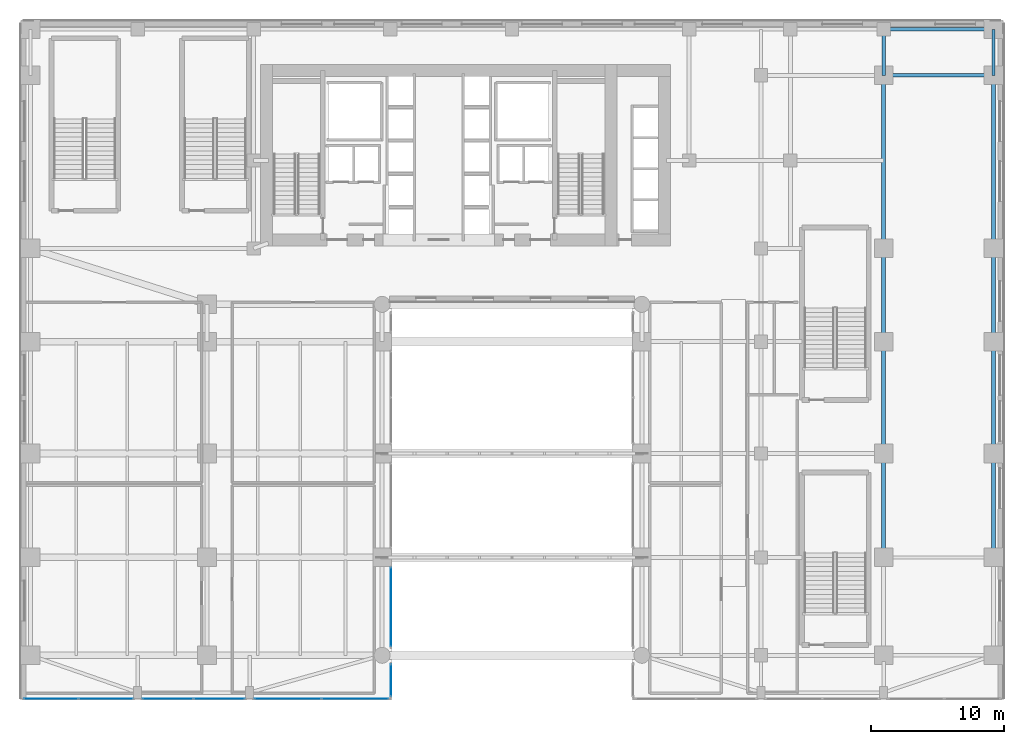
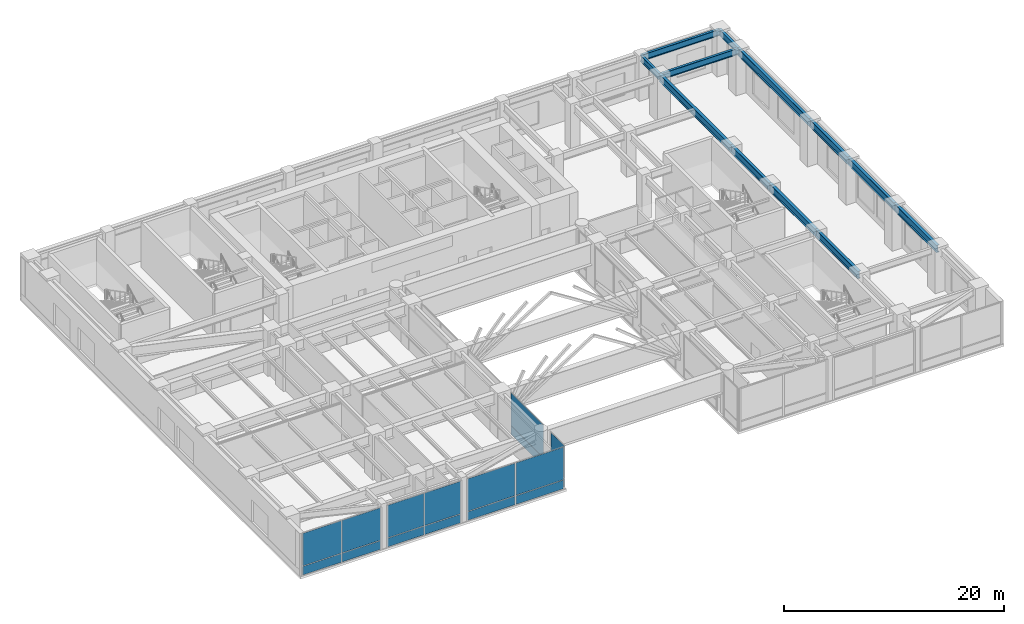
# One storey, part 25 of 39: 16 plates, 12 beams, 5 elements without a shape of their own.
"""IFC4 building model written with IfcOpenShell, lengths in metres."""

from ifc_helpers import new_model, si_unit, direction, frame, origin, origin_2d, place, context, subcontext, project, spatial, rectangle, i_section, extrude, source, transform, mapped, material, layer, layer_set, material_profile, profile_set, type_object, type_shapes, element, aggregate, save


model = new_model("IFC4")

# Units and contexts
model_context = context("Model", 3, precision=1e-05, world=origin(), true_north=direction((0.0, 1.0)))
body_context = subcontext(model_context, "Body", "Model", "MODEL_VIEW")
ifc_project = project(units=[si_unit("LENGTHUNIT", "METRE"), si_unit("AREAUNIT", "SQUARE_METRE"), si_unit("VOLUMEUNIT", "CUBIC_METRE"), si_unit("PLANEANGLEUNIT", "RADIAN"), si_unit("MASSUNIT", "GRAM", prefix="KILO")], contexts=[model_context])

# Site, building, storey
site_placement = place(None, origin())
site = spatial("IfcSite", under=ifc_project, at=site_placement, CompositionType="ELEMENT")
building_placement = place(site_placement, origin())
building = spatial("IfcBuilding", under=site, at=building_placement, Name="Tolvann Quenvar Hotel", CompositionType="ELEMENT")
storey_placement = place(building_placement, frame((0.0, 0.0, 11.0)))
storey = spatial("IfcBuildingStorey", under=building, at=storey_placement, Name="L02", CompositionType="ELEMENT", Elevation=11.0)

# Beams
ifc_material_1 = material(Name="Steel Grade 350", Category="steel")
ifc_material_profile_1 = material_profile(ifc_material_1, i_section(OverallWidth=0.300048828125, OverallDepth=0.81591796875, WebThickness=0.010009765625, FlangeThickness=0.028076171875, at=origin_2d()), Name="800WB192")
ifc_profile_set_1 = profile_set([ifc_material_profile_1], Name="Steel Grade 350")
beam_type_1 = type_object("IfcBeamType", Name="BM_GIRD_800WB192", PredefinedType="BEAM", material=ifc_profile_set_1)
shared_shape_1 = source(origin(), body_context, "Body", "SweptSolid", [
    extrude(i_section(OverallWidth=0.300048828125, OverallDepth=0.81591796875, WebThickness=0.010009765625, FlangeThickness=0.028076171875, at=origin_2d()), origin(), (0.0, 0.0, 1.0), 7.800048828125),
])
for number, where, z_axis, x_axis, name in (
    (1, (56.39990234375, 8.199951171875, 4.33203125), (0.0, 1.0, 0.0), (-1.0, 0.0, 0.0), "BM-L02-NS-J-1"),
    (2, (64.64990234375, 8.199951171875, 4.33203125), (0.0, 1.0, 0.0), (-1.0, 0.0, 0.0), "BM-L02-NS-K-1"),
):
    element("IfcBeam", number, at=place(storey_placement, frame(where, z_axis=z_axis, x_axis=x_axis)), inside=storey, type_object=beam_type_1, Name=name, PredefinedType="BEAM", context=body_context, shape_type="MappedRepresentation", body=[
        mapped(shared_shape_1, transform((0.0, 0.0, 0.0), x_axis=(1.0, 0.0, 0.0), y_axis=(0.0, 1.0, 0.0), z_axis=(0.0, 0.0, 1.0), scale=1.0)),
    ])
shared_shape_2 = source(origin(), body_context, "Body", "SweptSolid", [
    extrude(i_section(OverallWidth=0.300048828125, OverallDepth=0.81591796875, WebThickness=0.010009765625, FlangeThickness=0.028076171875, at=origin_2d()), origin(), (0.0, 0.0, 1.0), 8.39990234375),
])
for number, where, z_axis, x_axis, name in (
    (3, (56.39990234375, 16.0, 4.33203125), (0.0, 1.0, 0.0), (-1.0, 0.0, 0.0), "BM-L02-NS-J-2"),
    (4, (64.64990234375, 16.0, 4.33203125), (0.0, 1.0, 0.0), (-1.0, 0.0, 0.0), "BM-L02-NS-K-2"),
):
    element("IfcBeam", number, at=place(storey_placement, frame(where, z_axis=z_axis, x_axis=x_axis)), inside=storey, type_object=beam_type_1, Name=name, PredefinedType="BEAM", context=body_context, shape_type="MappedRepresentation", body=[
        mapped(shared_shape_2, transform((0.0, 0.0, 0.0), x_axis=(1.0, 0.0, 0.0), y_axis=(0.0, 1.0, 0.0), z_axis=(0.0, 0.0, 1.0), scale=1.0)),
    ])
ifc_material_profile_2 = material_profile(ifc_material_1, i_section(OverallWidth=0.25, OverallDepth=0.699951171875, WebThickness=0.010009765625, FlangeThickness=0.02392578125, at=origin_2d()), Name="700WB150")
ifc_profile_set_2 = profile_set([ifc_material_profile_2], Name="Steel Grade 350")
beam_type_2 = type_object("IfcBeamType", Name="BM_GIRD_700WB150", PredefinedType="BEAM", material=ifc_profile_set_2)
shared_shape_3 = source(origin(), body_context, "Body", "SweptSolid", [
    extrude(i_section(OverallWidth=0.25, OverallDepth=0.699951171875, WebThickness=0.010009765625, FlangeThickness=0.02392578125, at=origin_2d()), origin(), (0.0, 0.0, 1.0), 8.25),
])
for number, where, z_axis, x_axis, name in (
    (5, (56.39990234375, 44.39990234375, 4.389892578125), (1.0, 0.0, 0.0), (0.0, 1.0, 0.0), "BM-L02-GE3-6"),
    (6, (56.39990234375, 47.85009765625, 4.389892578125), (1.0, 0.0, 0.0), (0.0, 1.0, 0.0), "BM-L02-EWN-7"),
):
    element("IfcBeam", number, at=place(storey_placement, frame(where, z_axis=z_axis, x_axis=x_axis)), inside=storey, type_object=beam_type_2, Name=name, PredefinedType="BEAM", context=body_context, shape_type="MappedRepresentation", body=[
        mapped(shared_shape_3, transform((0.0, 0.0, 0.0), x_axis=(1.0, 0.0, 0.0), y_axis=(0.0, 1.0, 0.0), z_axis=(0.0, 0.0, 1.0), scale=1.0)),
    ])
shared_shape_4 = source(origin(), body_context, "Body", "SweptSolid", [
    extrude(i_section(OverallWidth=0.300048828125, OverallDepth=0.81591796875, WebThickness=0.010009765625, FlangeThickness=0.028076171875, at=origin_2d()), origin(), (0.0, 0.0, 1.0), 7.0),
])
for number, where, z_axis, x_axis, name in (
    (7, (56.39990234375, 24.39990234375, 4.33203125), (0.0, 1.0, 0.0), (-1.0, 0.0, 0.0), "BM-L02-NS-J-3"),
    (8, (64.64990234375, 24.39990234375, 4.33203125), (0.0, 1.0, 0.0), (-1.0, 0.0, 0.0), "BM-L02-NS-K-3"),
):
    element("IfcBeam", number, at=place(storey_placement, frame(where, z_axis=z_axis, x_axis=x_axis)), inside=storey, type_object=beam_type_1, Name=name, PredefinedType="BEAM", context=body_context, shape_type="MappedRepresentation", body=[
        mapped(shared_shape_4, transform((0.0, 0.0, 0.0), x_axis=(1.0, 0.0, 0.0), y_axis=(0.0, 1.0, 0.0), z_axis=(0.0, 0.0, 1.0), scale=1.0)),
    ])
shared_shape_5 = source(origin(), body_context, "Body", "SweptSolid", [
    extrude(i_section(OverallWidth=0.300048828125, OverallDepth=0.81591796875, WebThickness=0.010009765625, FlangeThickness=0.028076171875, at=origin_2d()), origin(), (0.0, 0.0, 1.0), 13.0),
])
type_shapes(beam_type_1, [shared_shape_1, shared_shape_2, shared_shape_4, shared_shape_5])
for number, where, z_axis, x_axis, name in (
    (9, (56.39990234375, 31.39990234375, 4.33203125), (0.0, 1.0, 0.0), (-1.0, 0.0, 0.0), "BM-L02-NS-J-4"),
    (10, (64.64990234375, 31.39990234375, 4.33203125), (0.0, 1.0, 0.0), (-1.0, 0.0, 0.0), "BM-L02-NS-K-4"),
):
    element("IfcBeam", number, at=place(storey_placement, frame(where, z_axis=z_axis, x_axis=x_axis)), inside=storey, type_object=beam_type_1, Name=name, PredefinedType="BEAM", context=body_context, shape_type="MappedRepresentation", body=[
        mapped(shared_shape_5, transform((0.0, 0.0, 0.0), x_axis=(1.0, 0.0, 0.0), y_axis=(0.0, 1.0, 0.0), z_axis=(0.0, 0.0, 1.0), scale=1.0)),
    ])
shared_shape_6 = source(origin(), body_context, "Body", "SweptSolid", [
    extrude(i_section(OverallWidth=0.25, OverallDepth=0.699951171875, WebThickness=0.010009765625, FlangeThickness=0.02392578125, at=origin_2d()), origin(), (0.0, 0.0, 1.0), 3.4501953125),
])
type_shapes(beam_type_2, [shared_shape_3, shared_shape_6])
for number, where, z_axis, x_axis, name in (
    (11, (56.39990234375, 44.39990234375, 4.389892578125), (0.0, 1.0, 0.0), (-1.0, 0.0, 0.0), "BM-L02-NSN-J"),
    (12, (64.64990234375, 44.39990234375, 4.389892578125), (0.0, 1.0, 0.0), (-1.0, 0.0, 0.0), "BM-L02-NSN-K"),
):
    element("IfcBeam", number, at=place(storey_placement, frame(where, z_axis=z_axis, x_axis=x_axis)), inside=storey, type_object=beam_type_2, Name=name, PredefinedType="BEAM", context=body_context, shape_type="MappedRepresentation", body=[
        mapped(shared_shape_6, transform((0.0, 0.0, 0.0), x_axis=(1.0, 0.0, 0.0), y_axis=(0.0, 1.0, 0.0), z_axis=(0.0, 0.0, 1.0), scale=1.0)),
    ])

# Curtain wall, plate
ifc_material_2 = material(Name="Thermally broken anodised architectural aluminium 6063-T6 and laminated low-E glass", Category="aluminium")
ifc_layer_1 = layer(ifc_material_2, 0.179931640625)
ifc_layer_set_1 = layer_set([ifc_layer_1], Name="Thermally broken anodised architectural aluminium 6063-T6 and laminated low-E glass")
curtain_wall_type_1 = type_object("IfcCurtainWallType", Name="CW_SYS_ARCH_01", PredefinedType="USERDEFINED", material=ifc_layer_set_1)
curtain_wall_1_placement = place(storey_placement, origin())
curtain_wall_1 = element("IfcCurtainWall", 13, at=curtain_wall_1_placement, inside=storey, type_object=curtain_wall_type_1, Name="Curtain Wall CW-ARCH-01 (CWR-L02-E01-S1)", ObjectType="UNITISED CURTAIN WALL", PredefinedType="USERDEFINED")
ifc_material_3 = material(Name="Low-iron laminated double glazing with solar-control coating", Category="glass")
ifc_layer_2 = layer(ifc_material_3, 0.028076171875)
ifc_layer_set_2 = layer_set([ifc_layer_2], Name="Low-iron laminated double glazing with solar-control coating")
plate_type = type_object("IfcPlateType", Name="CW_PAN_VISION_28", PredefinedType="CURTAIN_PANEL", material=ifc_layer_set_2)
shared_shape_7 = source(origin(), body_context, "Body", "SweptSolid", [
    extrude(rectangle(XDim=2.39599609375, YDim=0.028076171875, at=origin_2d()), origin(), (0.0, 0.0, 1.0), 0.9599609375),
])
plate_1_placement = place(storey_placement, frame((19.409912109375, -1.02197265625, 0.06005859375), z_axis=(0.0, 0.0, 1.0), x_axis=(0.0, 1.0, 0.0)))
plate_1 = element("IfcPlate", 14, at=plate_1_placement, type_object=plate_type, Name="CW-ARCH-01 panel 1.1", PredefinedType="CURTAIN_PANEL", context=body_context, shape_type="MappedRepresentation", body=[
    mapped(shared_shape_7, transform((0.0, 0.0, 0.0), x_axis=(1.0, 0.0, 0.0), y_axis=(0.0, 1.0, 0.0), z_axis=(0.0, 0.0, 1.0), scale=1.0)),
])

curtain_wall_2_placement = place(storey_placement, origin())
curtain_wall_2 = element("IfcCurtainWall", 15, at=curtain_wall_2_placement, inside=storey, type_object=curtain_wall_type_1, Name="Curtain Wall CW-ARCH-01 (CWR-L02-E01-S2)", ObjectType="UNITISED CURTAIN WALL", PredefinedType="USERDEFINED")
shared_shape_8 = source(origin(), body_context, "Body", "SweptSolid", [
    extrude(rectangle(XDim=5.902099609375, YDim=0.028076171875, at=origin_2d()), origin(), (0.0, 0.0, 1.0), 0.9599609375),
])
plate_2_placement = place(storey_placement, frame((19.409912109375, 4.47509765625, 0.06005859375), z_axis=(0.0, 0.0, 1.0), x_axis=(0.0, 1.0, 0.0)))
plate_2 = element("IfcPlate", 16, at=plate_2_placement, type_object=plate_type, Name="CW-ARCH-01 panel 1.1", PredefinedType="CURTAIN_PANEL", context=body_context, shape_type="MappedRepresentation", body=[
    mapped(shared_shape_8, transform((0.0, 0.0, 0.0), x_axis=(1.0, 0.0, 0.0), y_axis=(0.0, 1.0, 0.0), z_axis=(0.0, 0.0, 1.0), scale=1.0)),
])

# Plate
shared_shape_9 = source(origin(), body_context, "Body", "SweptSolid", [
    extrude(rectangle(XDim=2.39599609375, YDim=0.028076171875, at=origin_2d()), origin(), (0.0, 0.0, 1.0), 3.60009765625),
])
plate_3_placement = place(storey_placement, frame((19.409912109375, -1.02197265625, 1.079833984375), z_axis=(0.0, 0.0, 1.0), x_axis=(0.0, 1.0, 0.0)))
plate_3 = element("IfcPlate", 17, at=plate_3_placement, type_object=plate_type, Name="CW-ARCH-01 panel 1.2", PredefinedType="CURTAIN_PANEL", context=body_context, shape_type="MappedRepresentation", body=[
    mapped(shared_shape_9, transform((0.0, 0.0, 0.0), x_axis=(1.0, 0.0, 0.0), y_axis=(0.0, 1.0, 0.0), z_axis=(0.0, 0.0, 1.0), scale=1.0)),
])

aggregate(curtain_wall_1, [plate_1, plate_3])

shared_shape_10 = source(origin(), body_context, "Body", "SweptSolid", [
    extrude(rectangle(XDim=5.902099609375, YDim=0.028076171875, at=origin_2d()), origin(), (0.0, 0.0, 1.0), 3.60009765625),
])
plate_4_placement = place(storey_placement, frame((19.409912109375, 4.47509765625, 1.079833984375), z_axis=(0.0, 0.0, 1.0), x_axis=(0.0, 1.0, 0.0)))
plate_4 = element("IfcPlate", 18, at=plate_4_placement, type_object=plate_type, Name="CW-ARCH-01 panel 1.2", PredefinedType="CURTAIN_PANEL", context=body_context, shape_type="MappedRepresentation", body=[
    mapped(shared_shape_10, transform((0.0, 0.0, 0.0), x_axis=(1.0, 0.0, 0.0), y_axis=(0.0, 1.0, 0.0), z_axis=(0.0, 0.0, 1.0), scale=1.0)),
])

aggregate(curtain_wall_2, [plate_2, plate_4])

# Curtain wall, plates
ifc_layer_3 = layer(ifc_material_2, 0.179931640625)
ifc_layer_set_3 = layer_set([ifc_layer_3], Name="Thermally broken anodised architectural aluminium 6063-T6 and laminated low-E glass")
curtain_wall_type_2 = type_object("IfcCurtainWallType", Name="CW_SYS_BALL_02", PredefinedType="USERDEFINED", material=ifc_layer_set_3)
curtain_wall_3_placement = place(storey_placement, origin())
curtain_wall_3 = element("IfcCurtainWall", 19, at=curtain_wall_3_placement, inside=storey, type_object=curtain_wall_type_2, Name="Curtain Wall CW-BALL-02 (CWR-L02-E08-S1)", ObjectType="UNITISED CURTAIN WALL", PredefinedType="USERDEFINED")
shared_shape_11 = source(origin(), body_context, "Body", "SweptSolid", [
    extrude(rectangle(XDim=4.0380859375, YDim=0.028076171875, at=origin_2d()), origin(), (0.0, 0.0, 1.0), 0.9599609375),
])
plate_5_placement = place(storey_placement, frame((-6.10107421875, -2.409912109375, 0.06005859375), z_axis=(0.0, 0.0, 1.0), x_axis=(1.0, 0.0, 0.0)))
plate_5 = element("IfcPlate", 20, at=plate_5_placement, type_object=plate_type, Name="CW-BALL-02 panel 1.1", PredefinedType="CURTAIN_PANEL", context=body_context, shape_type="MappedRepresentation", body=[
    mapped(shared_shape_11, transform((0.0, 0.0, 0.0), x_axis=(1.0, 0.0, 0.0), y_axis=(0.0, 1.0, 0.0), z_axis=(0.0, 0.0, 1.0), scale=1.0)),
])
plate_6_placement = place(storey_placement, frame((-1.992919921875, -2.409912109375, 0.06005859375), z_axis=(0.0, 0.0, 1.0), x_axis=(1.0, 0.0, 0.0)))
plate_6 = element("IfcPlate", 21, at=plate_6_placement, type_object=plate_type, Name="CW-BALL-02 panel 2.1", PredefinedType="CURTAIN_PANEL", context=body_context, shape_type="MappedRepresentation", body=[
    mapped(shared_shape_11, transform((0.0, 0.0, 0.0), x_axis=(1.0, 0.0, 0.0), y_axis=(0.0, 1.0, 0.0), z_axis=(0.0, 0.0, 1.0), scale=1.0)),
])
shared_shape_12 = source(origin(), body_context, "Body", "SweptSolid", [
    extrude(rectangle(XDim=4.0380859375, YDim=0.028076171875, at=origin_2d()), origin(), (0.0, 0.0, 1.0), 3.60009765625),
])
plate_7_placement = place(storey_placement, frame((-6.10107421875, -2.409912109375, 1.079833984375), z_axis=(0.0, 0.0, 1.0), x_axis=(1.0, 0.0, 0.0)))
plate_7 = element("IfcPlate", 22, at=plate_7_placement, type_object=plate_type, Name="CW-BALL-02 panel 1.2", PredefinedType="CURTAIN_PANEL", context=body_context, shape_type="MappedRepresentation", body=[
    mapped(shared_shape_12, transform((0.0, 0.0, 0.0), x_axis=(1.0, 0.0, 0.0), y_axis=(0.0, 1.0, 0.0), z_axis=(0.0, 0.0, 1.0), scale=1.0)),
])
plate_8_placement = place(storey_placement, frame((-1.992919921875, -2.409912109375, 1.079833984375), z_axis=(0.0, 0.0, 1.0), x_axis=(1.0, 0.0, 0.0)))
plate_8 = element("IfcPlate", 23, at=plate_8_placement, type_object=plate_type, Name="CW-BALL-02 panel 2.2", PredefinedType="CURTAIN_PANEL", context=body_context, shape_type="MappedRepresentation", body=[
    mapped(shared_shape_12, transform((0.0, 0.0, 0.0), x_axis=(1.0, 0.0, 0.0), y_axis=(0.0, 1.0, 0.0), z_axis=(0.0, 0.0, 1.0), scale=1.0)),
])
aggregate(curtain_wall_3, [plate_5, plate_7, plate_6, plate_8])

curtain_wall_4_placement = place(storey_placement, origin())
curtain_wall_4 = element("IfcCurtainWall", 24, at=curtain_wall_4_placement, inside=storey, type_object=curtain_wall_type_2, Name="Curtain Wall CW-BALL-02 (CWR-L02-E08-S2)", ObjectType="UNITISED CURTAIN WALL", PredefinedType="USERDEFINED")
shared_shape_13 = source(origin(), body_context, "Body", "SweptSolid", [
    extrude(rectangle(XDim=3.791015625, YDim=0.028076171875, at=origin_2d()), origin(), (0.0, 0.0, 1.0), 0.9599609375),
])
plate_9_placement = place(storey_placement, frame((2.66943359375, -2.409912109375, 0.06005859375), z_axis=(0.0, 0.0, 1.0), x_axis=(1.0, 0.0, 0.0)))
plate_9 = element("IfcPlate", 25, at=plate_9_placement, type_object=plate_type, Name="CW-BALL-02 panel 1.1", PredefinedType="CURTAIN_PANEL", context=body_context, shape_type="MappedRepresentation", body=[
    mapped(shared_shape_13, transform((0.0, 0.0, 0.0), x_axis=(1.0, 0.0, 0.0), y_axis=(0.0, 1.0, 0.0), z_axis=(0.0, 0.0, 1.0), scale=1.0)),
])
plate_10_placement = place(storey_placement, frame((6.530517578125, -2.409912109375, 0.06005859375), z_axis=(0.0, 0.0, 1.0), x_axis=(1.0, 0.0, 0.0)))
plate_10 = element("IfcPlate", 26, at=plate_10_placement, type_object=plate_type, Name="CW-BALL-02 panel 2.1", PredefinedType="CURTAIN_PANEL", context=body_context, shape_type="MappedRepresentation", body=[
    mapped(shared_shape_13, transform((0.0, 0.0, 0.0), x_axis=(1.0, 0.0, 0.0), y_axis=(0.0, 1.0, 0.0), z_axis=(0.0, 0.0, 1.0), scale=1.0)),
])
shared_shape_14 = source(origin(), body_context, "Body", "SweptSolid", [
    extrude(rectangle(XDim=3.791015625, YDim=0.028076171875, at=origin_2d()), origin(), (0.0, 0.0, 1.0), 3.60009765625),
])
plate_11_placement = place(storey_placement, frame((2.66943359375, -2.409912109375, 1.079833984375), z_axis=(0.0, 0.0, 1.0), x_axis=(1.0, 0.0, 0.0)))
plate_11 = element("IfcPlate", 27, at=plate_11_placement, type_object=plate_type, Name="CW-BALL-02 panel 1.2", PredefinedType="CURTAIN_PANEL", context=body_context, shape_type="MappedRepresentation", body=[
    mapped(shared_shape_14, transform((0.0, 0.0, 0.0), x_axis=(1.0, 0.0, 0.0), y_axis=(0.0, 1.0, 0.0), z_axis=(0.0, 0.0, 1.0), scale=1.0)),
])
plate_12_placement = place(storey_placement, frame((6.530517578125, -2.409912109375, 1.079833984375), z_axis=(0.0, 0.0, 1.0), x_axis=(1.0, 0.0, 0.0)))
plate_12 = element("IfcPlate", 28, at=plate_12_placement, type_object=plate_type, Name="CW-BALL-02 panel 2.2", PredefinedType="CURTAIN_PANEL", context=body_context, shape_type="MappedRepresentation", body=[
    mapped(shared_shape_14, transform((0.0, 0.0, 0.0), x_axis=(1.0, 0.0, 0.0), y_axis=(0.0, 1.0, 0.0), z_axis=(0.0, 0.0, 1.0), scale=1.0)),
])
aggregate(curtain_wall_4, [plate_9, plate_11, plate_10, plate_12])

curtain_wall_5_placement = place(storey_placement, origin())
curtain_wall_5 = element("IfcCurtainWall", 29, at=curtain_wall_5_placement, inside=storey, type_object=curtain_wall_type_2, Name="Curtain Wall CW-BALL-02 (CWR-L02-E08-S3)", ObjectType="UNITISED CURTAIN WALL", PredefinedType="USERDEFINED")
shared_shape_15 = source(origin(), body_context, "Body", "SweptSolid", [
    extrude(rectangle(XDim=4.988037109375, YDim=0.028076171875, at=origin_2d()), origin(), (0.0, 0.0, 1.0), 0.9599609375),
])
plate_13_placement = place(storey_placement, frame((11.66796875, -2.409912109375, 0.06005859375), z_axis=(0.0, 0.0, 1.0), x_axis=(1.0, 0.0, 0.0)))
plate_13 = element("IfcPlate", 30, at=plate_13_placement, type_object=plate_type, Name="CW-BALL-02 panel 1.1", PredefinedType="CURTAIN_PANEL", context=body_context, shape_type="MappedRepresentation", body=[
    mapped(shared_shape_15, transform((0.0, 0.0, 0.0), x_axis=(1.0, 0.0, 0.0), y_axis=(0.0, 1.0, 0.0), z_axis=(0.0, 0.0, 1.0), scale=1.0)),
])
plate_14_placement = place(storey_placement, frame((16.72607421875, -2.409912109375, 0.06005859375), z_axis=(0.0, 0.0, 1.0), x_axis=(1.0, 0.0, 0.0)))
plate_14 = element("IfcPlate", 31, at=plate_14_placement, type_object=plate_type, Name="CW-BALL-02 panel 2.1", PredefinedType="CURTAIN_PANEL", context=body_context, shape_type="MappedRepresentation", body=[
    mapped(shared_shape_15, transform((0.0, 0.0, 0.0), x_axis=(1.0, 0.0, 0.0), y_axis=(0.0, 1.0, 0.0), z_axis=(0.0, 0.0, 1.0), scale=1.0)),
])
shared_shape_16 = source(origin(), body_context, "Body", "SweptSolid", [
    extrude(rectangle(XDim=4.988037109375, YDim=0.028076171875, at=origin_2d()), origin(), (0.0, 0.0, 1.0), 3.60009765625),
])
type_shapes(plate_type, [shared_shape_7, shared_shape_8, shared_shape_9, shared_shape_10, shared_shape_11, shared_shape_12, shared_shape_13, shared_shape_14, shared_shape_15, shared_shape_16])
plate_15_placement = place(storey_placement, frame((11.66796875, -2.409912109375, 1.079833984375), z_axis=(0.0, 0.0, 1.0), x_axis=(1.0, 0.0, 0.0)))
plate_15 = element("IfcPlate", 32, at=plate_15_placement, type_object=plate_type, Name="CW-BALL-02 panel 1.2", PredefinedType="CURTAIN_PANEL", context=body_context, shape_type="MappedRepresentation", body=[
    mapped(shared_shape_16, transform((0.0, 0.0, 0.0), x_axis=(1.0, 0.0, 0.0), y_axis=(0.0, 1.0, 0.0), z_axis=(0.0, 0.0, 1.0), scale=1.0)),
])
plate_16_placement = place(storey_placement, frame((16.72607421875, -2.409912109375, 1.079833984375), z_axis=(0.0, 0.0, 1.0), x_axis=(1.0, 0.0, 0.0)))
plate_16 = element("IfcPlate", 33, at=plate_16_placement, type_object=plate_type, Name="CW-BALL-02 panel 2.2", PredefinedType="CURTAIN_PANEL", context=body_context, shape_type="MappedRepresentation", body=[
    mapped(shared_shape_16, transform((0.0, 0.0, 0.0), x_axis=(1.0, 0.0, 0.0), y_axis=(0.0, 1.0, 0.0), z_axis=(0.0, 0.0, 1.0), scale=1.0)),
])
aggregate(curtain_wall_5, [plate_13, plate_15, plate_14, plate_16])

save(model, "model.ifc")
